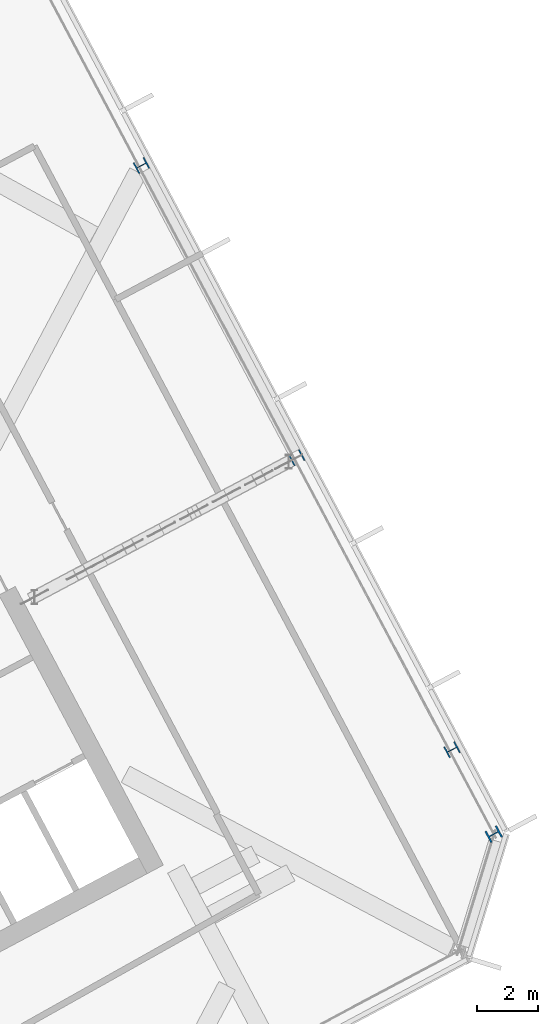
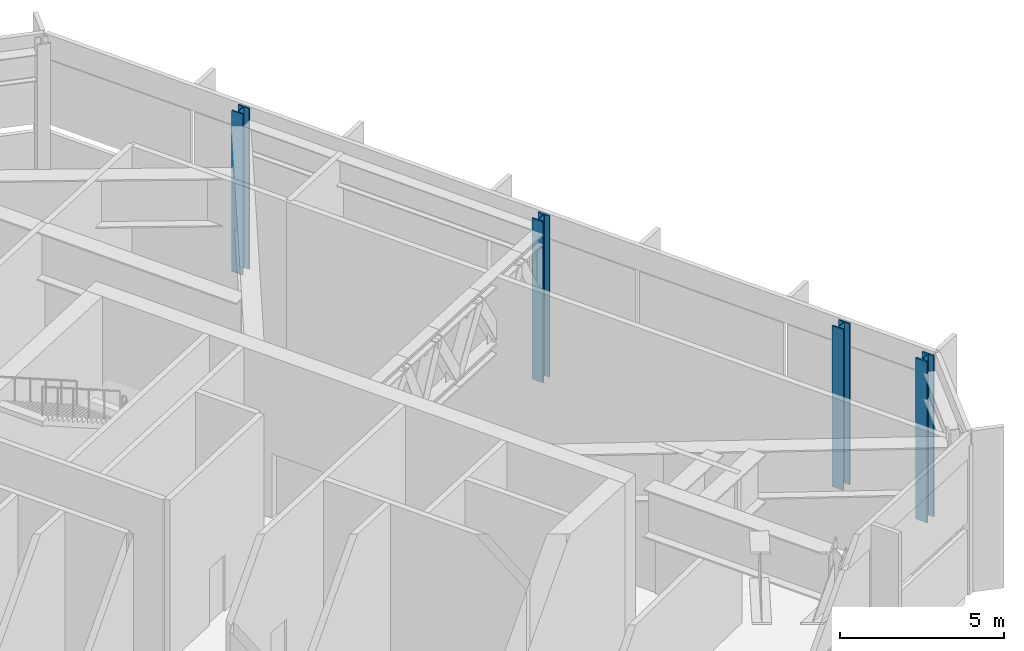
# One storey, part 7 of 33: 4 columns.
"""IFC4 building model written with IfcOpenShell, lengths in metres."""

import ifcopenshell
import ifcopenshell.guid

model = None  # the IFC model being written
_history = None  # IfcOwnerHistory: only IFC2X3 demands one
_inside = {}  # id of a spatial element -> (the spatial element, [elements in it])
_under = {}  # id of a project, library or spatial element -> (it, [spatial elements below it])
_declared = {}  # id of a project -> (the project, [libraries it declares])
_typed = {}  # id of a type object -> (the type object, [elements of that type])
_made_of = {}  # id of a material, layer set ... -> (it, [elements and type objects made of it])


def new_model(schema):
    """Start an empty IFC model of exactly this schema.

    Asked for "IFC4X3", IfcOpenShell would pick the latest addendum, in which some entities
    have other attributes; the version numbers below select the first issue.
    IFC2X3 requires an IfcOwnerHistory on every rooted entity: one is made here for all.
    """
    global model, _history
    if schema == "IFC4X3":
        model = ifcopenshell.file(schema_version=(4, 3, 0, 0))
    else:
        model = ifcopenshell.file(schema=schema)
    _inside.clear()
    _under.clear()
    _declared.clear()
    _typed.clear()
    _made_of.clear()
    _history = None
    if model.schema == "IFC2X3":
        org = make("IfcOrganization", Name="unknown")
        user = make(
            "IfcPersonAndOrganization",
            ThePerson=make("IfcPerson", FamilyName="unknown"),
            TheOrganization=org,
        )
        app = make(
            "IfcApplication",
            ApplicationDeveloper=org,
            Version="unknown",
            ApplicationFullName="unknown",
            ApplicationIdentifier="unknown",
        )
        _history = make(
            "IfcOwnerHistory",
            OwningUser=user,
            OwningApplication=app,
            ChangeAction="ADDED",
            CreationDate=0,
        )
    return model


def make(cls, **values):
    """One entity of the class cls with the attributes given. An attribute that is None is left unset."""
    return model.create_entity(
        cls, **{name: value for name, value in values.items() if value is not None}
    )


def rooted(cls, **values):
    """An entity with a GlobalId (a new one), such as an element, a storey or a relation."""
    return make(cls, GlobalId=ifcopenshell.guid.new(), OwnerHistory=_history, **values)


def si_unit(unit_type, name, prefix=None):
    """IfcSIUnit, for example si_unit("LENGTHUNIT", "METRE", prefix="MILLI")."""
    return make("IfcSIUnit", UnitType=unit_type, Prefix=prefix, Name=name)


def assignment(units):
    """IfcUnitAssignment: the units of a project."""
    return None if units is None else make("IfcUnitAssignment", Units=units)


def point(xyz):
    """IfcCartesianPoint."""
    return None if xyz is None else make("IfcCartesianPoint", Coordinates=xyz)


def direction(xyz):
    """IfcDirection."""
    return None if xyz is None else make("IfcDirection", DirectionRatios=xyz)


def frame(location, z_axis=None, x_axis=None):
    """IfcAxis2Placement3D, a coordinate frame: its origin and axes. An axis left out is left unset."""
    return make(
        "IfcAxis2Placement3D",
        Location=point(location),
        Axis=direction(z_axis),
        RefDirection=direction(x_axis),
    )


def frame_2d(location, x_axis=None):
    """IfcAxis2Placement2D, a coordinate frame in the plane: its origin and x axis."""
    return make(
        "IfcAxis2Placement2D", Location=point(location), RefDirection=direction(x_axis)
    )


def origin():
    """The frame at (0, 0, 0) with its axes left unset."""
    return frame((0.0, 0.0, 0.0))


def origin_2d():
    """The frame at (0, 0) in the plane with its x axis left unset."""
    return frame_2d((0.0, 0.0))


def place(relative_to, where):
    """IfcLocalPlacement: puts the frame where relative to a parent placement (None: the world)."""
    return make(
        "IfcLocalPlacement", PlacementRelTo=relative_to, RelativePlacement=where
    )


def context(
    kind, dimensions, precision=None, world=None, true_north=None, identifier=None
):
    """IfcGeometricRepresentationContext, for example the 3D "Model" context."""
    return make(
        "IfcGeometricRepresentationContext",
        ContextIdentifier=identifier,
        ContextType=kind,
        CoordinateSpaceDimension=dimensions,
        Precision=precision,
        WorldCoordinateSystem=world,
        TrueNorth=true_north,
    )


def subcontext(parent, identifier, kind, view, scale=None):
    """IfcGeometricRepresentationSubContext, for example "Body" below "Model"."""
    return make(
        "IfcGeometricRepresentationSubContext",
        ContextIdentifier=identifier,
        ContextType=kind,
        ParentContext=parent,
        TargetScale=scale,
        TargetView=view,
    )


def project(units=None, contexts=None):
    """IfcProject with its units and contexts."""
    return rooted(
        "IfcProject",
        Name="project",
        RepresentationContexts=contexts,
        UnitsInContext=assignment(units),
    )


def spatial(cls, under=None, at=None, **own):
    """A site, building, storey or space (cls), placed at a placement, below another one or the project."""
    s = rooted(cls, ObjectPlacement=at, **own)
    if under is not None:
        _under.setdefault(under.id(), (under, []))[1].append(s)
    return s


def profile(cls, at=None, kind="AREA", **sizes):
    """A parametric profile (cls). Its sizes go by their IFC names, for example OverallWidth=200.0."""
    return make(cls, ProfileType=kind, Position=at, **sizes)


def i_section(**sizes):
    """IfcIShapeProfileDef."""
    return profile("IfcIShapeProfileDef", **sizes)


def extrude(swept, where, along, depth):
    """IfcExtrudedAreaSolid: the profile swept, set in the frame where, extruded along a direction by depth."""
    return make(
        "IfcExtrudedAreaSolid",
        SweptArea=swept,
        Position=where,
        ExtrudedDirection=direction(along),
        Depth=depth,
    )


def shape(context_of_items, identifier, shape_type, items):
    """IfcShapeRepresentation: the items that make up one representation, for example the "Body"."""
    return make(
        "IfcShapeRepresentation",
        ContextOfItems=context_of_items,
        RepresentationIdentifier=identifier,
        RepresentationType=shape_type,
        Items=items,
    )


def material(Name=None, Category=None):
    """IfcMaterial."""
    return make("IfcMaterial", Name=Name, Category=Category)


def material_profile(
    of_material, cross_section, Name=None, Category=None, Priority=None
):
    """IfcMaterialProfile: a cross section and its material."""
    return make(
        "IfcMaterialProfile",
        Name=Name,
        Material=of_material,
        Profile=cross_section,
        Priority=Priority,
        Category=Category,
    )


def profile_set(profiles, Name=None, composite=None):
    """IfcMaterialProfileSet."""
    return make(
        "IfcMaterialProfileSet",
        Name=Name,
        MaterialProfiles=profiles,
        CompositeProfile=composite,
    )


def made_of(thing, what):
    """Note that an element or type object is made of a material, layer set ...; save() writes the relation."""
    if what is not None:
        _made_of.setdefault(what.id(), (what, []))[1].append(thing)
    return thing


def type_object(cls, material=None, **own):
    """A type object (cls), such as IfcWallType, which elements share."""
    return made_of(rooted(cls, **own), material)


def element(
    cls,
    number,
    at=None,
    inside=None,
    cuts=None,
    type_object=None,
    material=None,
    context=None,
    identifier="Body",
    shape_type=None,
    held_by="IfcProductDefinitionShape",
    body=None,
    shapes=None,
    **own,
):
    """One element of the class cls, such as IfcWall. Its Tag is "e" and its number.

    at: its placement. inside: the storey or other place that contains it. cuts: it is an
    opening in that element (IfcRelVoidsElement). A single representation is given by context,
    identifier, shape_type and body (its items); several are given by shapes. held_by: the class
    of the entity that holds the representations. save() writes the other relations.
    """
    e = rooted(cls, Tag="e%d" % number, ObjectPlacement=at, **own)
    if body is not None:
        shapes = [shape(context, identifier, shape_type, body)]
    if shapes is not None:
        e.Representation = make(held_by, Representations=shapes)
    if inside is not None:
        _inside.setdefault(inside.id(), (inside, []))[1].append(e)
    if cuts is not None:
        rooted(
            "IfcRelVoidsElement", RelatingBuildingElement=cuts, RelatedOpeningElement=e
        )
    if type_object is not None:
        _typed.setdefault(type_object.id(), (type_object, []))[1].append(e)
    return made_of(e, material)


def aggregate(whole, parts):
    """IfcRelAggregates: a whole, such as a stair, and the parts it consists of."""
    return rooted("IfcRelAggregates", RelatingObject=whole, RelatedObjects=parts)


def save(model, path):
    """Write the relations noted so far, then the file.

    IfcRelAggregates (storeys below a building ...), IfcRelContainedInSpatialStructure (elements
    in a storey), IfcRelDefinesByType, IfcRelAssociatesMaterial and IfcRelDeclares: one each for
    every whole, place, type object, material and project.
    """
    for whole, parts in _under.values():
        aggregate(whole, parts)
    for where, things in _inside.values():
        rooted(
            "IfcRelContainedInSpatialStructure",
            RelatedElements=things,
            RelatingStructure=where,
        )
    for kind, things in _typed.values():
        rooted("IfcRelDefinesByType", RelatedObjects=things, RelatingType=kind)
    for what, things in _made_of.values():
        rooted("IfcRelAssociatesMaterial", RelatedObjects=things, RelatingMaterial=what)
    for by, libraries in _declared.values():
        rooted("IfcRelDeclares", RelatingContext=by, RelatedDefinitions=libraries)
    model.write(path)


model = new_model("IFC4")

# Units and contexts
model_context = context("Model", 3, precision=1e-05, world=origin(), true_north=direction((0.0, 1.0)))
body_context = subcontext(model_context, "Body", "Model", "MODEL_VIEW")
ifc_project = project(units=[si_unit("LENGTHUNIT", "METRE"), si_unit("AREAUNIT", "SQUARE_METRE"), si_unit("VOLUMEUNIT", "CUBIC_METRE"), si_unit("PLANEANGLEUNIT", "RADIAN"), si_unit("MASSUNIT", "GRAM", prefix="KILO")], contexts=[model_context])

# Site, building, storey
site_placement = place(None, origin())
site = spatial("IfcSite", under=ifc_project, at=site_placement, CompositionType="ELEMENT")
building_placement = place(site_placement, origin())
building = spatial("IfcBuilding", under=site, at=building_placement, Name="Cormorant Relay Tower", CompositionType="ELEMENT")
storey_placement = place(building_placement, frame((0.0, 0.0, 252.0)))
storey = spatial("IfcBuildingStorey", under=building, at=storey_placement, Name="L56", CompositionType="ELEMENT", Elevation=252.0)

# Columns
ifc_material_1 = material(Name="Steel ASTM A992 (Fy 345 MPa)", Category="steel")
ifc_material_profile_1 = material_profile(ifc_material_1, i_section(OverallWidth=0.40380859375, OverallDepth=0.406494140625, WebThickness=0.027099609375, FlangeThickness=0.043701171875, FilletRadius=0.01513671875, at=origin_2d()), Name="W360x347")
ifc_profile_set_1 = profile_set([ifc_material_profile_1], Name="Steel ASTM A992 (Fy 345 MPa)")
column_type_1 = type_object("IfcColumnType", Name="Column W360x347", PredefinedType="COLUMN", material=ifc_profile_set_1)
for number, where, z_axis, x_axis, name in (
    (1, (47.26611328125, 12.89990234375, 0.0), (0.0, 0.0, 1.0), (-0.469471562786, 0.882947592859, 0.0), "Column L56-026"),
    (2, (42.196044921875, 22.43603515625, 0.0), (0.0, 0.0, 1.0), (-0.469471562786, 0.882947592859, 0.0), "Column L56-029"),
    (3, (37.1259765625, 31.971923828125, 0.0), (0.0, 0.0, 1.0), (-0.469471562786, 0.882947592859, 0.0), "Column L56-036"),
):
    element("IfcColumn", number, at=place(storey_placement, frame(where, z_axis=z_axis, x_axis=x_axis)), inside=storey, type_object=column_type_1, Name=name, PredefinedType="COLUMN", context=body_context, shape_type="SweptSolid", body=[
        extrude(i_section(OverallWidth=0.40380859375, OverallDepth=0.406494140625, WebThickness=0.027099609375, FlangeThickness=0.043701171875, FilletRadius=0.01513671875, at=origin_2d()), origin(), (0.0, 0.0, 1.0), 6.0),
    ])
ifc_material_2 = material(Name="Steel ASTM A992 (Fy 345 MPa)", Category="steel")
ifc_material_profile_2 = material_profile(ifc_material_2, i_section(OverallWidth=0.41162109375, OverallDepth=0.434326171875, WebThickness=0.035888671875, FlangeThickness=0.057373046875, FilletRadius=0.01513671875, at=origin_2d()), Name="W360x463")
ifc_profile_set_2 = profile_set([ifc_material_profile_2], Name="Steel ASTM A992 (Fy 345 MPa)")
column_type_2 = type_object("IfcColumnType", Name="Column W360x463", PredefinedType="COLUMN", material=ifc_profile_set_2)
column_placement = place(storey_placement, frame((48.6259765625, 10.14208984375, 0.0), z_axis=(0.0, 0.0, 1.0), x_axis=(-0.469471562786, 0.882947592859, 0.0)))
element("IfcColumn", 4, at=column_placement, inside=storey, type_object=column_type_2, Name="Column L56-021", PredefinedType="COLUMN", context=body_context, shape_type="SweptSolid", body=[
    extrude(i_section(OverallWidth=0.41162109375, OverallDepth=0.434326171875, WebThickness=0.035888671875, FlangeThickness=0.057373046875, FilletRadius=0.01513671875, at=origin_2d()), origin(), (0.0, 0.0, 1.0), 6.0),
])

save(model, "model.ifc")
